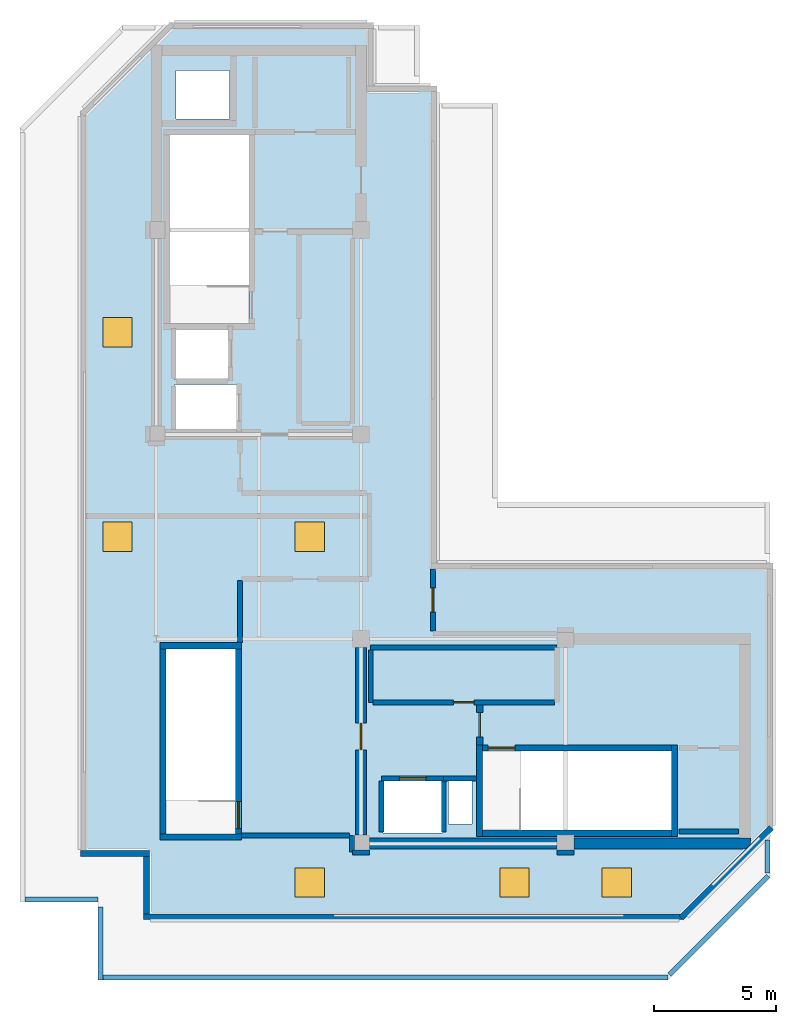
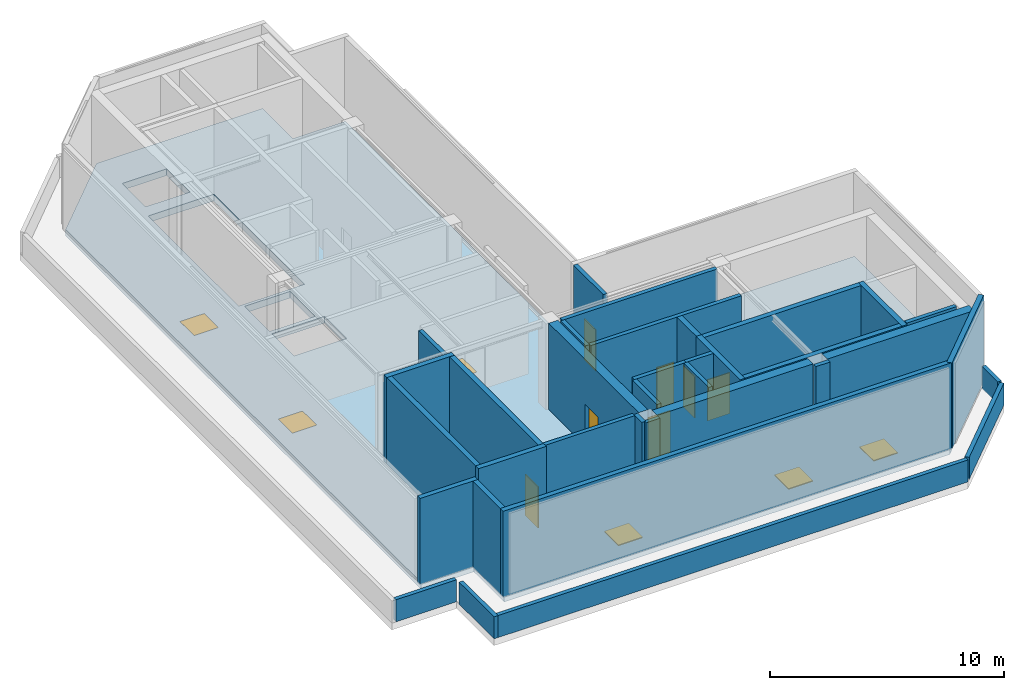
# One storey, part 2 of 5: 35 walls, 13 doors, 1 slab, 13 openings.
"""IFC4 building model written with IfcOpenShell, lengths in metres."""

import ifcopenshell
import ifcopenshell.guid

model = None  # the IFC model being written
_history = None  # IfcOwnerHistory: only IFC2X3 demands one
_inside = {}  # id of a spatial element -> (the spatial element, [elements in it])
_under = {}  # id of a project, library or spatial element -> (it, [spatial elements below it])
_declared = {}  # id of a project -> (the project, [libraries it declares])
_typed = {}  # id of a type object -> (the type object, [elements of that type])
_made_of = {}  # id of a material, layer set ... -> (it, [elements and type objects made of it])


def new_model(schema):
    """Start an empty IFC model of exactly this schema.

    Asked for "IFC4X3", IfcOpenShell would pick the latest addendum, in which some entities
    have other attributes; the version numbers below select the first issue.
    IFC2X3 requires an IfcOwnerHistory on every rooted entity: one is made here for all.
    """
    global model, _history
    if schema == "IFC4X3":
        model = ifcopenshell.file(schema_version=(4, 3, 0, 0))
    else:
        model = ifcopenshell.file(schema=schema)
    _inside.clear()
    _under.clear()
    _declared.clear()
    _typed.clear()
    _made_of.clear()
    _history = None
    if model.schema == "IFC2X3":
        org = make("IfcOrganization", Name="unknown")
        user = make(
            "IfcPersonAndOrganization",
            ThePerson=make("IfcPerson", FamilyName="unknown"),
            TheOrganization=org,
        )
        app = make(
            "IfcApplication",
            ApplicationDeveloper=org,
            Version="unknown",
            ApplicationFullName="unknown",
            ApplicationIdentifier="unknown",
        )
        _history = make(
            "IfcOwnerHistory",
            OwningUser=user,
            OwningApplication=app,
            ChangeAction="ADDED",
            CreationDate=0,
        )
    return model


def make(cls, **values):
    """One entity of the class cls with the attributes given. An attribute that is None is left unset."""
    return model.create_entity(
        cls, **{name: value for name, value in values.items() if value is not None}
    )


def rooted(cls, **values):
    """An entity with a GlobalId (a new one), such as an element, a storey or a relation."""
    return make(cls, GlobalId=ifcopenshell.guid.new(), OwnerHistory=_history, **values)


def si_unit(unit_type, name, prefix=None):
    """IfcSIUnit, for example si_unit("LENGTHUNIT", "METRE", prefix="MILLI")."""
    return make("IfcSIUnit", UnitType=unit_type, Prefix=prefix, Name=name)


def assignment(units):
    """IfcUnitAssignment: the units of a project."""
    return None if units is None else make("IfcUnitAssignment", Units=units)


def point(xyz):
    """IfcCartesianPoint."""
    return None if xyz is None else make("IfcCartesianPoint", Coordinates=xyz)


def direction(xyz):
    """IfcDirection."""
    return None if xyz is None else make("IfcDirection", DirectionRatios=xyz)


def frame(location, z_axis=None, x_axis=None):
    """IfcAxis2Placement3D, a coordinate frame: its origin and axes. An axis left out is left unset."""
    return make(
        "IfcAxis2Placement3D",
        Location=point(location),
        Axis=direction(z_axis),
        RefDirection=direction(x_axis),
    )


def frame_2d(location, x_axis=None):
    """IfcAxis2Placement2D, a coordinate frame in the plane: its origin and x axis."""
    return make(
        "IfcAxis2Placement2D", Location=point(location), RefDirection=direction(x_axis)
    )


def origin():
    """The frame at (0, 0, 0) with its axes left unset."""
    return frame((0.0, 0.0, 0.0))


def origin_2d():
    """The frame at (0, 0) in the plane with its x axis left unset."""
    return frame_2d((0.0, 0.0))


def place(relative_to, where):
    """IfcLocalPlacement: puts the frame where relative to a parent placement (None: the world)."""
    return make(
        "IfcLocalPlacement", PlacementRelTo=relative_to, RelativePlacement=where
    )


def context(
    kind, dimensions, precision=None, world=None, true_north=None, identifier=None
):
    """IfcGeometricRepresentationContext, for example the 3D "Model" context."""
    return make(
        "IfcGeometricRepresentationContext",
        ContextIdentifier=identifier,
        ContextType=kind,
        CoordinateSpaceDimension=dimensions,
        Precision=precision,
        WorldCoordinateSystem=world,
        TrueNorth=true_north,
    )


def subcontext(parent, identifier, kind, view, scale=None):
    """IfcGeometricRepresentationSubContext, for example "Body" below "Model"."""
    return make(
        "IfcGeometricRepresentationSubContext",
        ContextIdentifier=identifier,
        ContextType=kind,
        ParentContext=parent,
        TargetScale=scale,
        TargetView=view,
    )


def project(units=None, contexts=None):
    """IfcProject with its units and contexts."""
    return rooted(
        "IfcProject",
        Name="project",
        RepresentationContexts=contexts,
        UnitsInContext=assignment(units),
    )


def spatial(cls, under=None, at=None, **own):
    """A site, building, storey or space (cls), placed at a placement, below another one or the project."""
    s = rooted(cls, ObjectPlacement=at, **own)
    if under is not None:
        _under.setdefault(under.id(), (under, []))[1].append(s)
    return s


def polyline(points):
    """IfcPolyline through the points."""
    return make("IfcPolyline", Points=[point(p) for p in points])


def profile(cls, at=None, kind="AREA", **sizes):
    """A parametric profile (cls). Its sizes go by their IFC names, for example OverallWidth=200.0."""
    return make(cls, ProfileType=kind, Position=at, **sizes)


def rectangle(**sizes):
    """IfcRectangleProfileDef."""
    return profile("IfcRectangleProfileDef", **sizes)


def outline(outer, holes=None, kind="AREA"):
    """IfcArbitraryClosedProfileDef: a profile drawn as a closed curve; with holes, ...WithVoids."""
    if holes is None:
        return make("IfcArbitraryClosedProfileDef", ProfileType=kind, OuterCurve=outer)
    return make(
        "IfcArbitraryProfileDefWithVoids",
        ProfileType=kind,
        OuterCurve=outer,
        InnerCurves=holes,
    )


def extrude(swept, where, along, depth):
    """IfcExtrudedAreaSolid: the profile swept, set in the frame where, extruded along a direction by depth."""
    return make(
        "IfcExtrudedAreaSolid",
        SweptArea=swept,
        Position=where,
        ExtrudedDirection=direction(along),
        Depth=depth,
    )


def shape(context_of_items, identifier, shape_type, items):
    """IfcShapeRepresentation: the items that make up one representation, for example the "Body"."""
    return make(
        "IfcShapeRepresentation",
        ContextOfItems=context_of_items,
        RepresentationIdentifier=identifier,
        RepresentationType=shape_type,
        Items=items,
    )


def material(Name=None, Category=None):
    """IfcMaterial."""
    return make("IfcMaterial", Name=Name, Category=Category)


def layer(
    of_material, thickness, ventilated=None, Name=None, Category=None, Priority=None
):
    """IfcMaterialLayer: one layer of a wall or slab, of a material (None: an air gap)."""
    return make(
        "IfcMaterialLayer",
        Material=of_material,
        LayerThickness=thickness,
        IsVentilated=ventilated,
        Name=Name,
        Category=Category,
        Priority=Priority,
    )


def layer_set(layers, Name=None):
    """IfcMaterialLayerSet."""
    return make("IfcMaterialLayerSet", MaterialLayers=layers, LayerSetName=Name)


def made_of(thing, what):
    """Note that an element or type object is made of a material, layer set ...; save() writes the relation."""
    if what is not None:
        _made_of.setdefault(what.id(), (what, []))[1].append(thing)
    return thing


def type_object(cls, material=None, **own):
    """A type object (cls), such as IfcWallType, which elements share."""
    return made_of(rooted(cls, **own), material)


def element(
    cls,
    number,
    at=None,
    inside=None,
    cuts=None,
    type_object=None,
    material=None,
    context=None,
    identifier="Body",
    shape_type=None,
    held_by="IfcProductDefinitionShape",
    body=None,
    shapes=None,
    **own,
):
    """One element of the class cls, such as IfcWall. Its Tag is "e" and its number.

    at: its placement. inside: the storey or other place that contains it. cuts: it is an
    opening in that element (IfcRelVoidsElement). A single representation is given by context,
    identifier, shape_type and body (its items); several are given by shapes. held_by: the class
    of the entity that holds the representations. save() writes the other relations.
    """
    e = rooted(cls, Tag="e%d" % number, ObjectPlacement=at, **own)
    if body is not None:
        shapes = [shape(context, identifier, shape_type, body)]
    if shapes is not None:
        e.Representation = make(held_by, Representations=shapes)
    if inside is not None:
        _inside.setdefault(inside.id(), (inside, []))[1].append(e)
    if cuts is not None:
        rooted(
            "IfcRelVoidsElement", RelatingBuildingElement=cuts, RelatedOpeningElement=e
        )
    if type_object is not None:
        _typed.setdefault(type_object.id(), (type_object, []))[1].append(e)
    return made_of(e, material)


def fill(opening, filler):
    """IfcRelFillsElement: the door or window that sits in an opening."""
    return rooted(
        "IfcRelFillsElement",
        RelatingOpeningElement=opening,
        RelatedBuildingElement=filler,
    )


def aggregate(whole, parts):
    """IfcRelAggregates: a whole, such as a stair, and the parts it consists of."""
    return rooted("IfcRelAggregates", RelatingObject=whole, RelatedObjects=parts)


def save(model, path):
    """Write the relations noted so far, then the file.

    IfcRelAggregates (storeys below a building ...), IfcRelContainedInSpatialStructure (elements
    in a storey), IfcRelDefinesByType, IfcRelAssociatesMaterial and IfcRelDeclares: one each for
    every whole, place, type object, material and project.
    """
    for whole, parts in _under.values():
        aggregate(whole, parts)
    for where, things in _inside.values():
        rooted(
            "IfcRelContainedInSpatialStructure",
            RelatedElements=things,
            RelatingStructure=where,
        )
    for kind, things in _typed.values():
        rooted("IfcRelDefinesByType", RelatedObjects=things, RelatingType=kind)
    for what, things in _made_of.values():
        rooted("IfcRelAssociatesMaterial", RelatedObjects=things, RelatingMaterial=what)
    for by, libraries in _declared.values():
        rooted("IfcRelDeclares", RelatingContext=by, RelatedDefinitions=libraries)
    model.write(path)


model = new_model("IFC4")

# Units and contexts
model_context = context("Model", 3, precision=1e-05, world=origin(), true_north=direction((0.0, 1.0)))
body_context = subcontext(model_context, "Body", "Model", "MODEL_VIEW")
ifc_project = project(units=[si_unit("LENGTHUNIT", "METRE"), si_unit("AREAUNIT", "SQUARE_METRE"), si_unit("VOLUMEUNIT", "CUBIC_METRE"), si_unit("PLANEANGLEUNIT", "RADIAN"), si_unit("MASSUNIT", "GRAM", prefix="KILO")], contexts=[model_context])

# Site, building, storey
site_placement = place(None, origin())
site = spatial("IfcSite", under=ifc_project, at=site_placement, CompositionType="ELEMENT")
building_placement = place(site_placement, origin())
building = spatial("IfcBuilding", under=site, at=building_placement, Name="Nerrivon Quay Data Exchange", CompositionType="ELEMENT")
storey_placement = place(building_placement, frame((0.0, 0.0, 338.39990234375)))
storey = spatial("IfcBuildingStorey", under=building, at=storey_placement, Name="L80", CompositionType="ELEMENT", Elevation=338.39990234375)

# Slab, openings, doors
ifc_material_1 = material(Name="Concrete S65 (65 MPa)", Category="concrete")
ifc_layer_1 = layer(ifc_material_1, 0.35009765625)
ifc_layer_set_1 = layer_set([ifc_layer_1], Name="Concrete S65 (65 MPa)")
slab_type = type_object("IfcSlabType", Name="SLB-TRANS-350", PredefinedType="FLOOR", material=ifc_layer_set_1)
slab_placement = place(storey_placement, frame((0.0, 0.0, -0.349853515625)))
slab = element("IfcSlab", 1, at=slab_placement, inside=storey, type_object=slab_type, Name="L80 Primary Structural Slab", PredefinedType="FLOOR", context=body_context, shape_type="SweptSolid", body=[
    extrude(outline(polyline([(33.60009765625, 19.800048828125), (19.800048828125, 19.800048828125), (19.800048828125, 39.39990234375), (17.199951171875, 39.39990234375), (17.199951171875, 42.0), (9.0, 42.0), (5.39990234375, 38.39990234375), (5.39990234375, 8.0), (8.0, 8.0), (8.0, 5.39990234375), (30.0, 5.39990234375), (33.60009765625, 9.0), (33.60009765625, 19.800048828125)]), holes=[polyline([(8.949951171875, 29.75), (8.949951171875, 37.5), (12.199951171875, 37.5), (12.199951171875, 29.75), (8.949951171875, 29.75)]), polyline([(21.800048828125, 12.199951171875), (29.550048828125, 12.199951171875), (29.550048828125, 8.949951171875), (21.800048828125, 8.949951171875), (21.800048828125, 12.199951171875)]), polyline([(8.800048828125, 8.800048828125), (8.800048828125, 16.39990234375), (11.64990234375, 16.39990234375), (11.64990234375, 8.800048828125), (8.800048828125, 8.800048828125)]), polyline([(21.35009765625, 9.199951171875), (20.39990234375, 9.199951171875), (20.39990234375, 11.0), (21.35009765625, 11.0), (21.35009765625, 9.199951171875)]), polyline([(20.14990234375, 8.830078125), (17.699951171875, 8.830078125), (17.699951171875, 11.030029296875), (20.14990234375, 11.030029296875), (20.14990234375, 8.830078125)]), polyline([(11.75, 25.35009765625), (9.14990234375, 25.35009765625), (9.14990234375, 27.25), (11.75, 27.25), (11.75, 25.35009765625)]), polyline([(9.14990234375, 27.449951171875), (9.14990234375, 29.60009765625), (11.39990234375, 29.60009765625), (11.39990234375, 27.449951171875), (9.14990234375, 27.449951171875)]), polyline([(9.199951171875, 38.14990234375), (9.199951171875, 40.14990234375), (11.39990234375, 40.14990234375), (11.39990234375, 38.14990234375), (9.199951171875, 38.14990234375)])]), origin(), (0.0, 0.0, 1.0), 0.349853515625),
])
opening_1_placement = place(slab_placement, frame((6.800048828125, 21.0, -0.010009765625)))
opening_1 = element("IfcOpeningElement", 2, at=opening_1_placement, cuts=slab, Name="Opening RH1", PredefinedType="OPENING", context=body_context, shape_type="SweptSolid", body=[
    extrude(rectangle(XDim=1.199951171875, YDim=1.199951171875, at=origin_2d()), origin(), (0.0, 0.0, 1.0), 0.369873046875),
])
opening_2_placement = place(slab_placement, frame((14.699951171875, 21.0, -0.010009765625)))
opening_2 = element("IfcOpeningElement", 3, at=opening_2_placement, cuts=slab, Name="Opening RH1", PredefinedType="OPENING", context=body_context, shape_type="SweptSolid", body=[
    extrude(rectangle(XDim=1.199951171875, YDim=1.199951171875, at=origin_2d()), origin(), (0.0, 0.0, 1.0), 0.369873046875),
])
opening_3_placement = place(slab_placement, frame((6.800048828125, 29.39990234375, -0.010009765625)))
opening_3 = element("IfcOpeningElement", 4, at=opening_3_placement, cuts=slab, Name="Opening RH1", PredefinedType="OPENING", context=body_context, shape_type="SweptSolid", body=[
    extrude(rectangle(XDim=1.199951171875, YDim=1.199951171875, at=origin_2d()), origin(), (0.0, 0.0, 1.0), 0.369873046875),
])
opening_4_placement = place(slab_placement, frame((14.699951171875, 6.800048828125, -0.010009765625)))
opening_4 = element("IfcOpeningElement", 5, at=opening_4_placement, cuts=slab, Name="Opening RH1", PredefinedType="OPENING", context=body_context, shape_type="SweptSolid", body=[
    extrude(rectangle(XDim=1.199951171875, YDim=1.199951171875, at=origin_2d()), origin(), (0.0, 0.0, 1.0), 0.369873046875),
])
opening_5_placement = place(slab_placement, frame((23.10009765625, 6.800048828125, -0.010009765625)))
opening_5 = element("IfcOpeningElement", 6, at=opening_5_placement, cuts=slab, Name="Opening RH1", PredefinedType="OPENING", context=body_context, shape_type="SweptSolid", body=[
    extrude(rectangle(XDim=1.199951171875, YDim=1.199951171875, at=origin_2d()), origin(), (0.0, 0.0, 1.0), 0.369873046875),
])
opening_6_placement = place(slab_placement, frame((27.300048828125, 6.800048828125, -0.010009765625)))
opening_6 = element("IfcOpeningElement", 7, at=opening_6_placement, cuts=slab, Name="Opening RH1", PredefinedType="OPENING", context=body_context, shape_type="SweptSolid", body=[
    extrude(rectangle(XDim=1.199951171875, YDim=1.199951171875, at=origin_2d()), origin(), (0.0, 0.0, 1.0), 0.369873046875),
])
ifc_material_2 = material(Name="Powder-coated galvanized steel sheet", Category="steel")
door_type_1 = type_object("IfcDoorType", Name="DR-HATCH-1200x1200", OperationType="SINGLE_SWING_LEFT", PredefinedType="TRAPDOOR", material=ifc_material_2)
door_1_placement = place(opening_1_placement, frame((0.0, 0.0, 0.309814453125)))
door_1 = element("IfcDoor", 8, at=door_1_placement, inside=storey, type_object=door_type_1, Name="Main Roof Access Hatch RH1-1", OperationType="SINGLE_SWING_LEFT", OverallHeight=1.199951171875, OverallWidth=1.199951171875, PredefinedType="TRAPDOOR", context=body_context, shape_type="SweptSolid", body=[
    extrude(rectangle(XDim=1.199951171875, YDim=1.199951171875, at=origin_2d()), origin(), (0.0, 0.0, 1.0), 0.050048828125),
])
fill(opening_1, door_1)
door_2_placement = place(opening_2_placement, frame((0.0, 0.0, 0.309814453125)))
door_2 = element("IfcDoor", 9, at=door_2_placement, inside=storey, type_object=door_type_1, Name="Main Roof Access Hatch RH1-2", OperationType="SINGLE_SWING_LEFT", OverallHeight=1.199951171875, OverallWidth=1.199951171875, PredefinedType="TRAPDOOR", context=body_context, shape_type="SweptSolid", body=[
    extrude(rectangle(XDim=1.199951171875, YDim=1.199951171875, at=origin_2d()), origin(), (0.0, 0.0, 1.0), 0.050048828125),
])
fill(opening_2, door_2)
door_3_placement = place(opening_3_placement, frame((0.0, 0.0, 0.309814453125)))
door_3 = element("IfcDoor", 10, at=door_3_placement, inside=storey, type_object=door_type_1, Name="Main Roof Access Hatch RH1-3", OperationType="SINGLE_SWING_LEFT", OverallHeight=1.199951171875, OverallWidth=1.199951171875, PredefinedType="TRAPDOOR", context=body_context, shape_type="SweptSolid", body=[
    extrude(rectangle(XDim=1.199951171875, YDim=1.199951171875, at=origin_2d()), origin(), (0.0, 0.0, 1.0), 0.050048828125),
])
fill(opening_3, door_3)
door_4_placement = place(opening_4_placement, frame((0.0, 0.0, 0.309814453125)))
door_4 = element("IfcDoor", 11, at=door_4_placement, inside=storey, type_object=door_type_1, Name="Main Roof Access Hatch RH1-4", OperationType="SINGLE_SWING_LEFT", OverallHeight=1.199951171875, OverallWidth=1.199951171875, PredefinedType="TRAPDOOR", context=body_context, shape_type="SweptSolid", body=[
    extrude(rectangle(XDim=1.199951171875, YDim=1.199951171875, at=origin_2d()), origin(), (0.0, 0.0, 1.0), 0.050048828125),
])
fill(opening_4, door_4)
door_5_placement = place(opening_5_placement, frame((0.0, 0.0, 0.309814453125)))
door_5 = element("IfcDoor", 12, at=door_5_placement, inside=storey, type_object=door_type_1, Name="Main Roof Access Hatch RH1-5", OperationType="SINGLE_SWING_LEFT", OverallHeight=1.199951171875, OverallWidth=1.199951171875, PredefinedType="TRAPDOOR", context=body_context, shape_type="SweptSolid", body=[
    extrude(rectangle(XDim=1.199951171875, YDim=1.199951171875, at=origin_2d()), origin(), (0.0, 0.0, 1.0), 0.050048828125),
])
fill(opening_5, door_5)
door_6_placement = place(opening_6_placement, frame((0.0, 0.0, 0.309814453125)))
door_6 = element("IfcDoor", 13, at=door_6_placement, inside=storey, type_object=door_type_1, Name="Main Roof Access Hatch RH1-6", OperationType="SINGLE_SWING_LEFT", OverallHeight=1.199951171875, OverallWidth=1.199951171875, PredefinedType="TRAPDOOR", context=body_context, shape_type="SweptSolid", body=[
    extrude(rectangle(XDim=1.199951171875, YDim=1.199951171875, at=origin_2d()), origin(), (0.0, 0.0, 1.0), 0.050048828125),
])
fill(opening_6, door_6)

# Walls
ifc_material_3 = material(Name="Architectural terracotta precast concrete N50 (50 MPa)", Category="masonry")
ifc_layer_2 = layer(ifc_material_3, 0.239990234375)
ifc_layer_set_2 = layer_set([ifc_layer_2], Name="Architectural terracotta precast concrete N50 (50 MPa)")
wall_type_1 = type_object("IfcWallType", Name="EW-PREC-240", PredefinedType="STANDARD", material=ifc_layer_set_2)
wall_1_placement = place(storey_placement, frame((33.65283203125, 9.052734375, 0.0), z_axis=(0.0, 0.0, 1.0), x_axis=(-0.707106781187, -0.707106781187, 0.0)))
element("IfcWall", 14, at=wall_1_placement, inside=storey, type_object=wall_type_1, Name="L80 Plant Enclosure Wall 1", PredefinedType="STANDARD", context=body_context, shape_type="SweptSolid", body=[
    extrude(rectangle(XDim=5.240478515625, YDim=0.239990234375, at=frame_2d((2.6201171875, 0.0))), origin(), (0.0, 0.0, 1.0), 4.5),
])
wall_2_placement = place(storey_placement, frame((30.07470703125, 5.39990234375, 0.0), z_axis=(0.0, 0.0, 1.0), x_axis=(-1.0, 0.0, 0.0)))
element("IfcWall", 15, at=wall_2_placement, inside=storey, type_object=wall_type_1, Name="L80 Plant Enclosure Wall 2", PredefinedType="STANDARD", context=body_context, shape_type="SweptSolid", body=[
    extrude(rectangle(XDim=22.19482421875, YDim=0.239990234375, at=frame_2d((11.097412109375, 0.0))), origin(), (0.0, 0.0, 1.0), 4.5),
])
wall_3_placement = place(storey_placement, frame((8.0, 5.52001953125, 0.0), z_axis=(0.0, 0.0, 1.0), x_axis=(0.0, 1.0, 0.0)))
element("IfcWall", 16, at=wall_3_placement, inside=storey, type_object=wall_type_1, Name="L80 Plant Enclosure Wall 3", PredefinedType="STANDARD", context=body_context, shape_type="SweptSolid", body=[
    extrude(rectangle(XDim=2.35986328125, YDim=0.239990234375, at=frame_2d((1.179931640625, 0.0))), origin(), (0.0, 0.0, 1.0), 4.5),
])
wall_4_placement = place(storey_placement, frame((8.1201171875, 8.0, 0.0), z_axis=(0.0, 0.0, 1.0), x_axis=(-1.0, 0.0, 0.0)))
element("IfcWall", 17, at=wall_4_placement, inside=storey, type_object=wall_type_1, Name="L80 Plant Enclosure Wall 4", PredefinedType="STANDARD", context=body_context, shape_type="SweptSolid", body=[
    extrude(rectangle(XDim=2.840087890625, YDim=0.239990234375, at=frame_2d((1.419921875, 0.0))), origin(), (0.0, 0.0, 1.0), 4.5),
])
ifc_material_4 = material(Name="Precast concrete N50 (50 MPa)", Category="concrete")
ifc_layer_3 = layer(ifc_material_4, 0.199951171875)
ifc_layer_set_3 = layer_set([ifc_layer_3], Name="Precast concrete N50 (50 MPa)")
wall_type_2 = type_object("IfcWallType", Name="PAR-RC-1", PredefinedType="PARAPET", material=ifc_layer_set_3)
for number, where, z_axis, x_axis, name in (
    (18, (3.0, 6.10009765625, 0.0), (0.0, 0.0, 1.0), (1.0, 0.0, 0.0), "L80 Stepped Crown Parapet 1.6"),
    (19, (6.10009765625, 5.800048828125, 0.0), (0.0, 0.0, 1.0), (0.0, -1.0, 0.0), "L80 Stepped Crown Parapet 1.7"),
):
    element("IfcWall", number, at=place(storey_placement, frame(where, z_axis=z_axis, x_axis=x_axis)), inside=storey, type_object=wall_type_2, Name=name, PredefinedType="PARAPET", context=body_context, shape_type="SweptSolid", body=[
        extrude(rectangle(XDim=3.0, YDim=0.199951171875, at=frame_2d((1.5, 0.0))), origin(), (0.0, 0.0, 1.0), 1.150146484375),
    ])
wall_5_placement = place(storey_placement, frame((6.199951171875, 2.89990234375, 0.0), z_axis=(0.0, 0.0, 1.0), x_axis=(1.0, 0.0, 0.0)))
element("IfcWall", 20, at=wall_5_placement, inside=storey, type_object=wall_type_2, Name="L80 Stepped Crown Parapet 1.8", PredefinedType="PARAPET", context=body_context, shape_type="SweptSolid", body=[
    extrude(rectangle(XDim=23.199951171875, YDim=0.199951171875, at=frame_2d((11.60009765625, 0.0))), origin(), (0.0, 0.0, 1.0), 1.150146484375),
])
wall_6_placement = place(storey_placement, frame((29.470703125, 3.01220703125, 0.0), z_axis=(0.0, 0.0, 1.0), x_axis=(0.707106781187, 0.707106781187, 0.0)))
element("IfcWall", 21, at=wall_6_placement, inside=storey, type_object=wall_type_2, Name="L80 Stepped Crown Parapet 1.9", PredefinedType="PARAPET", context=body_context, shape_type="SweptSolid", body=[
    extrude(rectangle(XDim=5.73974609375, YDim=0.199951171875, at=frame_2d((2.869873046875, 0.0))), origin(), (0.0, 0.0, 1.0), 1.150146484375),
])
wall_7_placement = place(storey_placement, frame((33.5, 7.199951171875, 0.0), z_axis=(0.0, 0.0, 1.0), x_axis=(0.0, 1.0, 0.0)))
element("IfcWall", 22, at=wall_7_placement, inside=storey, type_object=wall_type_2, Name="L80 Stepped Crown Parapet 1.10", PredefinedType="PARAPET", context=body_context, shape_type="SweptSolid", body=[
    extrude(rectangle(XDim=1.34765625, YDim=0.199951171875, at=frame_2d((0.673828125, 0.0))), origin(), (0.0, 0.0, 1.0), 1.150146484375),
])
ifc_material_5 = material(Name="Concrete N50 (50 MPa)", Category="concrete")
ifc_layer_4 = layer(ifc_material_5, 0.449951171875)
ifc_layer_set_4 = layer_set([ifc_layer_4], Name="Concrete N50 (50 MPa)")
wall_type_3 = type_object("IfcWallType", Name="WALL-CW-550", PredefinedType="SHEAR", material=ifc_layer_set_4)
wall_8_placement = place(storey_placement, frame((17.14990234375, 8.39990234375, 0.0), z_axis=(0.0, 0.0, 1.0), x_axis=(1.0, 0.0, 0.0)))
element("IfcWall", 23, at=wall_8_placement, inside=storey, type_object=wall_type_3, Name="L80 East Split-Core Shear Wall ECW-S1", PredefinedType="SHEAR", context=body_context, shape_type="SweptSolid", body=[
    extrude(rectangle(XDim=7.7001953125, YDim=0.449951171875, at=frame_2d((3.85009765625, 0.0))), origin(), (0.0, 0.0, 1.0), 4.5),
])
wall_9_placement = place(storey_placement, frame((25.550048828125, 8.39990234375, 0.0), z_axis=(0.0, 0.0, 1.0), x_axis=(1.0, 0.0, 0.0)))
element("IfcWall", 24, at=wall_9_placement, inside=storey, type_object=wall_type_3, Name="L80 East Split-Core Shear Wall ECW-S2", PredefinedType="SHEAR", context=body_context, shape_type="SweptSolid", body=[
    extrude(rectangle(XDim=7.25, YDim=0.449951171875, at=frame_2d((3.625, 0.0))), origin(), (0.0, 0.0, 1.0), 4.5),
])

# Wall, opening, door
wall_10_placement = place(storey_placement, frame((16.800048828125, 8.75, 0.0), z_axis=(0.0, 0.0, 1.0), x_axis=(0.0, 1.0, 0.0)))
wall_10 = element("IfcWall", 25, at=wall_10_placement, inside=storey, type_object=wall_type_3, Name="L80 East Split-Core Shear Wall ECW-W1", PredefinedType="SHEAR", context=body_context, shape_type="SweptSolid", body=[
    extrude(rectangle(XDim=7.699951171875, YDim=0.449951171875, at=frame_2d((3.85009765625, 0.0))), origin(), (0.0, 0.0, 1.0), 4.5),
])
opening_7_placement = place(wall_10_placement, frame((3.5, 0.0, 0.0)))
opening_7 = element("IfcOpeningElement", 26, at=opening_7_placement, cuts=wall_10, Name="Opening FD-120", PredefinedType="OPENING", context=body_context, shape_type="SweptSolid", body=[
    extrude(rectangle(XDim=1.10009765625, YDim=2.14990234375, at=frame_2d((0.550048828125, 1.074951171875))), frame((0.0, 0.23486328125, 0.0), z_axis=(0.0, -1.0, 0.0), x_axis=(1.0, 0.0, 0.0)), (0.0, 0.0, 1.0), 0.469970703125),
])
door_type_2 = type_object("IfcDoorType", Name="DR-FD120-1100", OperationType="NOTDEFINED", PredefinedType="DOOR", material=ifc_material_2)
door_7_placement = place(opening_7_placement, origin())
door_7 = element("IfcDoor", 27, at=door_7_placement, inside=storey, type_object=door_type_2, Name="L80 East Core Lobby Fire Door", OperationType="SINGLE_SWING_RIGHT", OverallHeight=2.14990234375, OverallWidth=1.10009765625, PredefinedType="DOOR", context=body_context, shape_type="SweptSolid", body=[
    extrude(rectangle(XDim=1.10009765625, YDim=2.14990234375, at=frame_2d((0.550048828125, 1.074951171875))), frame((0.0, 0.02490234375, 0.0), z_axis=(0.0, -1.0, 0.0), x_axis=(1.0, 0.0, 0.0)), (0.0, 0.0, 1.0), 0.050048828125),
])
fill(opening_7, door_7)

# Wall
ifc_material_6 = material(Name="Gypsum plasterboard on cold-formed framing", Category="gypsum")
ifc_layer_5 = layer(ifc_material_6, 0.199951171875)
ifc_layer_set_5 = layer_set([ifc_layer_5], Name="Gypsum plasterboard on cold-formed framing")
wall_type_4 = type_object("IfcWallType", Name="WALL-FW-200", PredefinedType="PARTITIONING", material=ifc_layer_set_5)
wall_11_placement = place(storey_placement, frame((20.199951171875, 11.080078125, 0.0), z_axis=(0.0, 0.0, 1.0), x_axis=(1.0, 0.0, 0.0)))
element("IfcWall", 28, at=wall_11_placement, inside=storey, type_object=wall_type_4, Name="L80 East Core MEP Riser Shaft Wall N", PredefinedType="PARTITIONING", context=body_context, shape_type="SweptSolid", body=[
    extrude(rectangle(XDim=1.35009765625, YDim=0.199951171875, at=frame_2d((0.675048828125, 0.0))), origin(), (0.0, 0.0, 1.0), 4.5),
])

# Wall, opening, door
wall_12_placement = place(storey_placement, frame((17.64990234375, 11.080078125, 0.0), z_axis=(0.0, 0.0, 1.0), x_axis=(1.0, 0.0, 0.0)))
wall_12 = element("IfcWall", 29, at=wall_12_placement, inside=storey, type_object=wall_type_4, Name="L80 Lift Front Wall FFL-2", PredefinedType="PARTITIONING", context=body_context, shape_type="SweptSolid", body=[
    extrude(rectangle(XDim=2.550048828125, YDim=0.199951171875, at=frame_2d((1.27490234375, 0.0))), origin(), (0.0, 0.0, 1.0), 4.5),
])
opening_8_placement = place(wall_12_placement, frame((0.72509765625, 0.0, 0.0)))
opening_8 = element("IfcOpeningElement", 30, at=opening_8_placement, cuts=wall_12, Name="Opening LD-120", PredefinedType="OPENING", context=body_context, shape_type="SweptSolid", body=[
    extrude(rectangle(XDim=1.10009765625, YDim=2.199951171875, at=frame_2d((0.550048828125, 1.10009765625))), frame((0.0, 0.10986328125, 0.0), z_axis=(0.0, -1.0, 0.0), x_axis=(1.0, 0.0, 0.0)), (0.0, 0.0, 1.0), 0.219970703125),
])
door_type_3 = type_object("IfcDoorType", Name="DR-LIFT-LD120", OperationType="DOUBLE_DOOR_SLIDING", PredefinedType="DOOR", material=ifc_material_2)
door_8_placement = place(opening_8_placement, origin())
door_8 = element("IfcDoor", 31, at=door_8_placement, inside=storey, type_object=door_type_3, Name="L80 Lift Landing Sliding Door FFL-2", OperationType="DOUBLE_DOOR_SLIDING", OverallHeight=2.199951171875, OverallWidth=1.10009765625, PredefinedType="DOOR", context=body_context, shape_type="SweptSolid", body=[
    extrude(rectangle(XDim=1.10009765625, YDim=2.199951171875, at=frame_2d((0.550048828125, 1.10009765625))), frame((0.0, 0.02490234375, 0.0), z_axis=(0.0, -1.0, 0.0), x_axis=(1.0, 0.0, 0.0)), (0.0, 0.0, 1.0), 0.050048828125),
])
fill(opening_8, door_8)

# Walls
for number, where, z_axis, x_axis, name in (
    (32, (20.199951171875, 8.8798828125, 0.0), (0.0, 0.0, 1.0), (0.0, 1.0, 0.0), "L80 Lift Shaft Wall FFL-2 EAST"),
    (33, (17.64990234375, 8.8798828125, 0.0), (0.0, 0.0, 1.0), (0.0, 1.0, 0.0), "L80 Lift Shaft Wall FFL-2 WEST"),
):
    element("IfcWall", number, at=place(storey_placement, frame(where, z_axis=z_axis, x_axis=x_axis)), inside=storey, type_object=wall_type_4, Name=name, PredefinedType="PARTITIONING", context=body_context, shape_type="SweptSolid", body=[
        extrude(rectangle(XDim=2.10009765625, YDim=0.199951171875, at=frame_2d((1.050048828125, 0.0))), origin(), (0.0, 0.0, 1.0), 4.5),
    ])
wall_13_placement = place(storey_placement, frame((24.844970703125, 16.449951171875, 0.0), z_axis=(0.0, 0.0, 1.0), x_axis=(-1.0, 0.0, 0.0)))
element("IfcWall", 34, at=wall_13_placement, inside=storey, type_object=wall_type_4, Name="L80 Partition High-Zone Telemetry Equipment Store", PredefinedType="PARTITIONING", context=body_context, shape_type="SweptSolid", body=[
    extrude(rectangle(XDim=7.64501953125, YDim=0.199951171875, at=frame_2d((3.822509765625, 0.0))), origin(), (0.0, 0.0, 1.0), 4.5),
])
wall_14_placement = place(storey_placement, frame((17.199951171875, 16.345947265625, 0.0), z_axis=(0.0, 0.0, 1.0), x_axis=(0.0, -1.0, 0.0)))
element("IfcWall", 35, at=wall_14_placement, inside=storey, type_object=wall_type_4, Name="L80 Partition High-Zone Telemetry Equipment Store", PredefinedType="PARTITIONING", context=body_context, shape_type="SweptSolid", body=[
    extrude(rectangle(XDim=2.14599609375, YDim=0.199951171875, at=frame_2d((1.072998046875, 0.0))), origin(), (0.0, 0.0, 1.0), 4.5),
])

# Wall, opening, door
wall_15_placement = place(storey_placement, frame((17.303955078125, 14.199951171875, 0.0), z_axis=(0.0, 0.0, 1.0), x_axis=(1.0, 0.0, 0.0)))
wall_15 = element("IfcWall", 36, at=wall_15_placement, inside=storey, type_object=wall_type_4, Name="L80 Partition High-Zone Telemetry Equipment Store", PredefinedType="PARTITIONING", context=body_context, shape_type="SweptSolid", body=[
    extrude(rectangle(XDim=7.442138671875, YDim=0.199951171875, at=frame_2d((3.72119140625, 0.0))), origin(), (0.0, 0.0, 1.0), 4.5),
])
opening_9_placement = place(wall_15_placement, frame((3.2958984375, 0.0, 0.0)))
opening_9 = element("IfcOpeningElement", 37, at=opening_9_placement, cuts=wall_15, Name="Opening FD-60S", PredefinedType="OPENING", context=body_context, shape_type="SweptSolid", body=[
    extrude(rectangle(XDim=0.85009765625, YDim=2.14990234375, at=frame_2d((0.425048828125, 1.074951171875))), frame((0.0, 0.10986328125, 0.0), z_axis=(0.0, -1.0, 0.0), x_axis=(1.0, 0.0, 0.0)), (0.0, 0.0, 1.0), 0.219970703125),
])
ifc_material_7 = material(Name="Engineered hardwood timber", Category="wood")
door_type_4 = type_object("IfcDoorType", Name="DR-FD60-850", OperationType="NOTDEFINED", PredefinedType="DOOR", material=ifc_material_7)
door_9_placement = place(opening_9_placement, origin())
door_9 = element("IfcDoor", 38, at=door_9_placement, inside=storey, type_object=door_type_4, Name="L80 Door High-Zone Telemetry Equipment Store", OperationType="SINGLE_SWING_RIGHT", OverallHeight=2.14990234375, OverallWidth=0.85009765625, PredefinedType="DOOR", context=body_context, shape_type="SweptSolid", body=[
    extrude(rectangle(XDim=0.85009765625, YDim=2.14990234375, at=frame_2d((0.425048828125, 1.074951171875))), frame((0.0, 0.02490234375, 0.0), z_axis=(0.0, -1.0, 0.0), x_axis=(1.0, 0.0, 0.0)), (0.0, 0.0, 1.0), 0.050048828125),
])
fill(opening_9, door_9)

# Walls
wall_16_placement = place(storey_placement, frame((29.85009765625, 8.89990234375, 0.0), z_axis=(0.0, 0.0, 1.0), x_axis=(1.0, 0.0, 0.0)))
element("IfcWall", 39, at=wall_16_placement, inside=storey, type_object=wall_type_4, Name="L80 Partition East Telecom Closet", PredefinedType="PARTITIONING", context=body_context, shape_type="SweptSolid", body=[
    extrude(rectangle(XDim=2.449951171875, YDim=0.199951171875, at=frame_2d((1.22509765625, 0.0))), origin(), (0.0, 0.0, 1.0), 4.5),
])
for number, where, z_axis, x_axis, name in (
    (40, (25.553955078125, 8.030517578125, 0.0), (0.0, 0.0, 1.0), (-0.999999759375, -0.000693721651, 0.0), "L80 Partition Crown Overrun Motor & Switchgear Plant Room"),
    (41, (17.15380859375, 8.030517578125, 0.0), (0.0, 0.0, 1.0), (-0.999999759375, -0.000693721651, 0.0), "L80 Partition Crown Overrun Motor & Switchgear Plant Room"),
):
    element("IfcWall", number, at=place(storey_placement, frame(where, z_axis=z_axis, x_axis=x_axis)), inside=storey, type_object=wall_type_4, Name=name, PredefinedType="PARTITIONING", context=body_context, shape_type="SweptSolid", body=[
        extrude(rectangle(XDim=0.703857421875, YDim=0.199951171875, at=frame_2d((0.35205078125, 0.0))), origin(), (0.0, 0.0, 1.0), 4.5),
    ])
wall_17_placement = place(storey_placement, frame((16.429931640625, 8.050048828125, 0.0), z_axis=(0.0, 0.0, 1.0), x_axis=(0.0, 1.0, 0.0)))
element("IfcWall", 42, at=wall_17_placement, inside=storey, type_object=wall_type_4, Name="L80 Partition Crown Overrun Motor & Switchgear Plant Room", PredefinedType="PARTITIONING", context=body_context, shape_type="SweptSolid", body=[
    extrude(rectangle(XDim=0.68994140625, YDim=0.199951171875, at=frame_2d((0.344970703125, 0.0))), origin(), (0.0, 0.0, 1.0), 4.5),
])
wall_18_placement = place(storey_placement, frame((16.325927734375, 8.739990234375, 0.0), z_axis=(0.0, 0.0, 1.0), x_axis=(-1.0, 0.0, 0.0)))
element("IfcWall", 43, at=wall_18_placement, inside=storey, type_object=wall_type_4, Name="L80 Partition Crown Overrun Motor & Switchgear Plant Room", PredefinedType="PARTITIONING", context=body_context, shape_type="SweptSolid", body=[
    extrude(rectangle(XDim=4.426025390625, YDim=0.199951171875, at=frame_2d((2.212890625, 0.0))), origin(), (0.0, 0.0, 1.0), 4.5),
])
wall_19_placement = place(storey_placement, frame((11.840087890625, 16.654052734375, 0.0), z_axis=(0.0, 0.0, 1.0), x_axis=(0.0, 1.0, 0.0)))
element("IfcWall", 44, at=wall_19_placement, inside=storey, type_object=wall_type_4, Name="L80 Partition Crown Overrun Motor & Switchgear Plant Room", PredefinedType="PARTITIONING", context=body_context, shape_type="SweptSolid", body=[
    extrude(rectangle(XDim=2.5458984375, YDim=0.199951171875, at=frame_2d((1.27294921875, 0.0))), origin(), (0.0, 0.0, 1.0), 4.14111328125),
])

# Wall, opening, door
wall_20_placement = place(storey_placement, frame((19.760009765625, 19.676025390625, 0.0), z_axis=(0.0, 0.0, 1.0), x_axis=(0.0, -1.0, 0.0)))
wall_20 = element("IfcWall", 45, at=wall_20_placement, inside=storey, type_object=wall_type_4, Name="L80 Partition Fire Booster Water Pump Room", PredefinedType="PARTITIONING", context=body_context, shape_type="SweptSolid", body=[
    extrude(rectangle(XDim=2.547119140625, YDim=0.199951171875, at=frame_2d((1.2734375, 0.0))), origin(), (0.0, 0.0, 1.0), 4.5),
])
opening_10_placement = place(wall_20_placement, frame((0.7734375, 0.0, 0.0)))
opening_10 = element("IfcOpeningElement", 46, at=opening_10_placement, cuts=wall_20, Name="Opening FD-60", PredefinedType="OPENING", context=body_context, shape_type="SweptSolid", body=[
    extrude(rectangle(XDim=1.0, YDim=2.14990234375, at=frame_2d((0.5, 1.074951171875))), frame((0.0, 0.10986328125, 0.0), z_axis=(0.0, -1.0, 0.0), x_axis=(1.0, 0.0, 0.0)), (0.0, 0.0, 1.0), 0.219970703125),
])
door_type_5 = type_object("IfcDoorType", Name="DR-FD60-1000", OperationType="NOTDEFINED", PredefinedType="DOOR", material=ifc_material_7)
door_10_placement = place(opening_10_placement, origin())
door_10 = element("IfcDoor", 47, at=door_10_placement, inside=storey, type_object=door_type_5, Name="L80 Door Fire Booster Water Pump Room", OperationType="SINGLE_SWING_RIGHT", OverallHeight=2.14990234375, OverallWidth=1.0, PredefinedType="DOOR", context=body_context, shape_type="SweptSolid", body=[
    extrude(rectangle(XDim=1.0, YDim=2.14990234375, at=frame_2d((0.5, 1.074951171875))), frame((0.0, 0.02490234375, 0.0), z_axis=(0.0, -1.0, 0.0), x_axis=(1.0, 0.0, 0.0)), (0.0, 0.0, 1.0), 0.050048828125),
])
fill(opening_10, door_10)

# Walls
ifc_layer_6 = layer(ifc_material_5, 0.25)
ifc_layer_set_6 = layer_set([ifc_layer_6], Name="Concrete N50 (50 MPa)")
wall_type_5 = type_object("IfcWallType", Name="WALL-SW-250", PredefinedType="SHEAR", material=ifc_layer_set_6)
for number, where, z_axis, x_axis, name in (
    (48, (21.675048828125, 8.699951171875, 0.0), (0.0, 0.0, 1.0), (0.0, 1.0, 0.0), "L80 ST02 Structural Stair Core Wall NEAR"),
    (49, (29.675048828125, 8.699951171875, 0.0), (0.0, 0.0, 1.0), (0.0, 1.0, 0.0), "L80 ST02 Structural Stair Core Wall FAR"),
):
    element("IfcWall", number, at=place(storey_placement, frame(where, z_axis=z_axis, x_axis=x_axis)), inside=storey, type_object=wall_type_5, Name=name, PredefinedType="SHEAR", context=body_context, shape_type="SweptSolid", body=[
        extrude(rectangle(XDim=3.75, YDim=0.25, at=frame_2d((1.875, 0.0))), origin(), (0.0, 0.0, 1.0), 4.5),
    ])
wall_21_placement = place(storey_placement, frame((21.800048828125, 8.824951171875, 0.0), z_axis=(0.0, 0.0, 1.0), x_axis=(1.0, 0.0, 0.0)))
element("IfcWall", 50, at=wall_21_placement, inside=storey, type_object=wall_type_5, Name="L80 ST02 Structural Stair Core Wall LEFT", PredefinedType="SHEAR", context=body_context, shape_type="SweptSolid", body=[
    extrude(rectangle(XDim=7.75, YDim=0.25, at=frame_2d((3.875, 0.0))), origin(), (0.0, 0.0, 1.0), 4.5),
])

# Wall, opening, door
wall_22_placement = place(storey_placement, frame((21.800048828125, 12.324951171875, 0.0), z_axis=(0.0, 0.0, 1.0), x_axis=(1.0, 0.0, 0.0)))
wall_22 = element("IfcWall", 51, at=wall_22_placement, inside=storey, type_object=wall_type_5, Name="L80 ST02 Structural Stair Core Wall RIGHT", PredefinedType="SHEAR", context=body_context, shape_type="SweptSolid", body=[
    extrude(rectangle(XDim=7.75, YDim=0.25, at=frame_2d((3.875, 0.0))), origin(), (0.0, 0.0, 1.0), 4.5),
])
opening_11_placement = place(wall_22_placement, frame((0.219970703125, 0.0, 0.0)))
opening_11 = element("IfcOpeningElement", 52, at=opening_11_placement, cuts=wall_22, Name="Opening FD-120", PredefinedType="OPENING", context=body_context, shape_type="SweptSolid", body=[
    extrude(rectangle(XDim=1.10009765625, YDim=2.14990234375, at=frame_2d((0.550048828125, 1.074951171875))), frame((0.0, 0.135009765625, 0.0), z_axis=(0.0, -1.0, 0.0), x_axis=(1.0, 0.0, 0.0)), (0.0, 0.0, 1.0), 0.27001953125),
])
door_11_placement = place(opening_11_placement, origin())
door_11 = element("IfcDoor", 53, at=door_11_placement, inside=storey, type_object=door_type_2, Name="L80 Protected Stair Door ST02", OperationType="SINGLE_SWING_RIGHT", OverallHeight=2.14990234375, OverallWidth=1.10009765625, PredefinedType="DOOR", context=body_context, shape_type="SweptSolid", body=[
    extrude(rectangle(XDim=1.10009765625, YDim=2.14990234375, at=frame_2d((0.550048828125, 1.074951171875))), frame((0.0, 0.02490234375, 0.0), z_axis=(0.0, -1.0, 0.0), x_axis=(1.0, 0.0, 0.0)), (0.0, 0.0, 1.0), 0.050048828125),
])
fill(opening_11, door_11)

# Walls
for number, where, z_axis, x_axis, name in (
    (54, (11.89990234375, 8.675048828125, -0.349853515625), (0.0, 0.0, 1.0), (-1.0, 0.0, 0.0), "L80 ST08 Structural Stair Core Wall NEAR"),
    (55, (11.89990234375, 16.52490234375, -0.349853515625), (0.0, 0.0, 1.0), (-1.0, 0.0, 0.0), "L80 ST08 Structural Stair Core Wall FAR"),
):
    element("IfcWall", number, at=place(storey_placement, frame(where, z_axis=z_axis, x_axis=x_axis)), inside=storey, type_object=wall_type_5, Name=name, PredefinedType="SHEAR", context=body_context, shape_type="SweptSolid", body=[
        extrude(rectangle(XDim=3.349853515625, YDim=0.25, at=frame_2d((1.6748046875, 0.0))), origin(), (0.0, 0.0, 1.0), 4.849853515625),
    ])

# Wall, opening, door
wall_23_placement = place(storey_placement, frame((11.77490234375, 8.800048828125, -0.349853515625), z_axis=(0.0, 0.0, 1.0), x_axis=(0.0, 1.0, 0.0)))
wall_23 = element("IfcWall", 56, at=wall_23_placement, inside=storey, type_object=wall_type_5, Name="L80 ST08 Structural Stair Core Wall LEFT", PredefinedType="SHEAR", context=body_context, shape_type="SweptSolid", body=[
    extrude(rectangle(XDim=7.599853515625, YDim=0.25, at=frame_2d((3.7998046875, 0.0))), origin(), (0.0, 0.0, 1.0), 4.849853515625),
])
opening_12_placement = place(wall_23_placement, frame((0.219970703125, 0.0, 0.35009765625)))
opening_12 = element("IfcOpeningElement", 57, at=opening_12_placement, cuts=wall_23, Name="Opening FD-120", PredefinedType="OPENING", context=body_context, shape_type="SweptSolid", body=[
    extrude(rectangle(XDim=1.10009765625, YDim=2.14990234375, at=frame_2d((0.550048828125, 1.074951171875))), frame((0.0, 0.135009765625, 0.0), z_axis=(0.0, -1.0, 0.0), x_axis=(1.0, 0.0, 0.0)), (0.0, 0.0, 1.0), 0.27001953125),
])
door_12_placement = place(opening_12_placement, origin())
door_12 = element("IfcDoor", 58, at=door_12_placement, inside=storey, type_object=door_type_2, Name="L80 Protected Stair Door ST08", OperationType="SINGLE_SWING_LEFT", OverallHeight=2.14990234375, OverallWidth=1.10009765625, PredefinedType="DOOR", context=body_context, shape_type="SweptSolid", body=[
    extrude(rectangle(XDim=1.10009765625, YDim=2.14990234375, at=frame_2d((0.550048828125, 1.074951171875))), frame((0.0, 0.02490234375, 0.0), z_axis=(0.0, -1.0, 0.0), x_axis=(1.0, 0.0, 0.0)), (0.0, 0.0, 1.0), 0.050048828125),
])
fill(opening_12, door_12)

# Wall
wall_24_placement = place(storey_placement, frame((8.675048828125, 8.800048828125, -0.349853515625), z_axis=(0.0, 0.0, 1.0), x_axis=(0.0, 1.0, 0.0)))
element("IfcWall", 59, at=wall_24_placement, inside=storey, type_object=wall_type_5, Name="L80 ST08 Structural Stair Core Wall RIGHT", PredefinedType="SHEAR", context=body_context, shape_type="SweptSolid", body=[
    extrude(rectangle(XDim=7.599853515625, YDim=0.25, at=frame_2d((3.7998046875, 0.0))), origin(), (0.0, 0.0, 1.0), 4.849853515625),
])

# Wall, opening, door
wall_25_placement = place(storey_placement, frame((21.679931640625, 12.449951171875, 0.0), z_axis=(0.0, 0.0, 1.0), x_axis=(0.0, 1.0, 0.0)))
wall_25 = element("IfcWall", 60, at=wall_25_placement, inside=storey, type_object=wall_type_5, Name="L80 East Firefighting Lobby Wall", PredefinedType="SHEAR", context=body_context, shape_type="SweptSolid", body=[
    extrude(rectangle(XDim=1.650146484375, YDim=0.25, at=frame_2d((0.8251953125, 0.0))), origin(), (0.0, 0.0, 1.0), 4.5),
])
opening_13_placement = place(wall_25_placement, frame((0.324951171875, 0.0, 0.0)))
opening_13 = element("IfcOpeningElement", 61, at=opening_13_placement, cuts=wall_25, Name="Opening FD-60", PredefinedType="OPENING", context=body_context, shape_type="SweptSolid", body=[
    extrude(rectangle(XDim=1.0, YDim=2.14990234375, at=frame_2d((0.5, 1.074951171875))), frame((0.0, 0.135009765625, 0.0), z_axis=(0.0, -1.0, 0.0), x_axis=(1.0, 0.0, 0.0)), (0.0, 0.0, 1.0), 0.27001953125),
])
door_13_placement = place(opening_13_placement, origin())
door_13 = element("IfcDoor", 62, at=door_13_placement, inside=storey, type_object=door_type_5, Name="L80 East Firefighting Lobby Fire Door", OperationType="SINGLE_SWING_LEFT", OverallHeight=2.14990234375, OverallWidth=1.0, PredefinedType="DOOR", context=body_context, shape_type="SweptSolid", body=[
    extrude(rectangle(XDim=1.0, YDim=2.14990234375, at=frame_2d((0.5, 1.074951171875))), frame((0.0, 0.02490234375, 0.0), z_axis=(0.0, -1.0, 0.0), x_axis=(1.0, 0.0, 0.0)), (0.0, 0.0, 1.0), 0.050048828125),
])
fill(opening_13, door_13)

save(model, "model.ifc")
